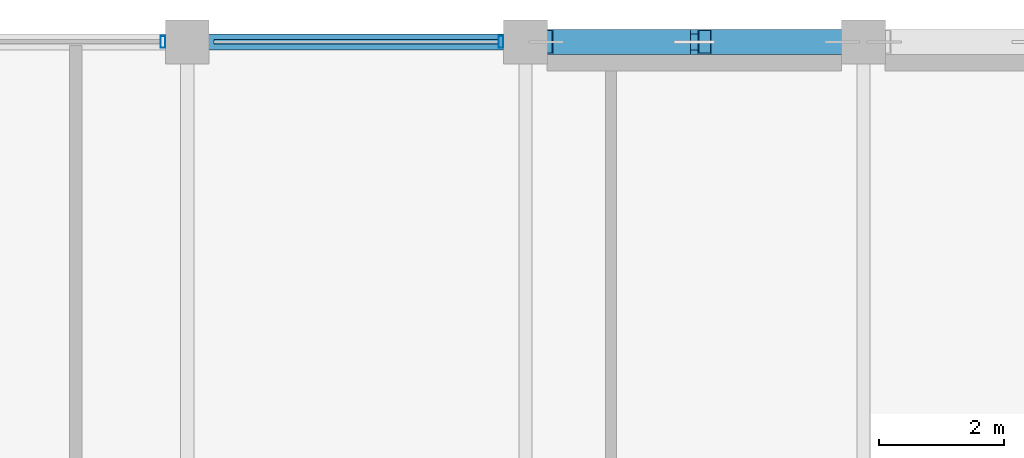
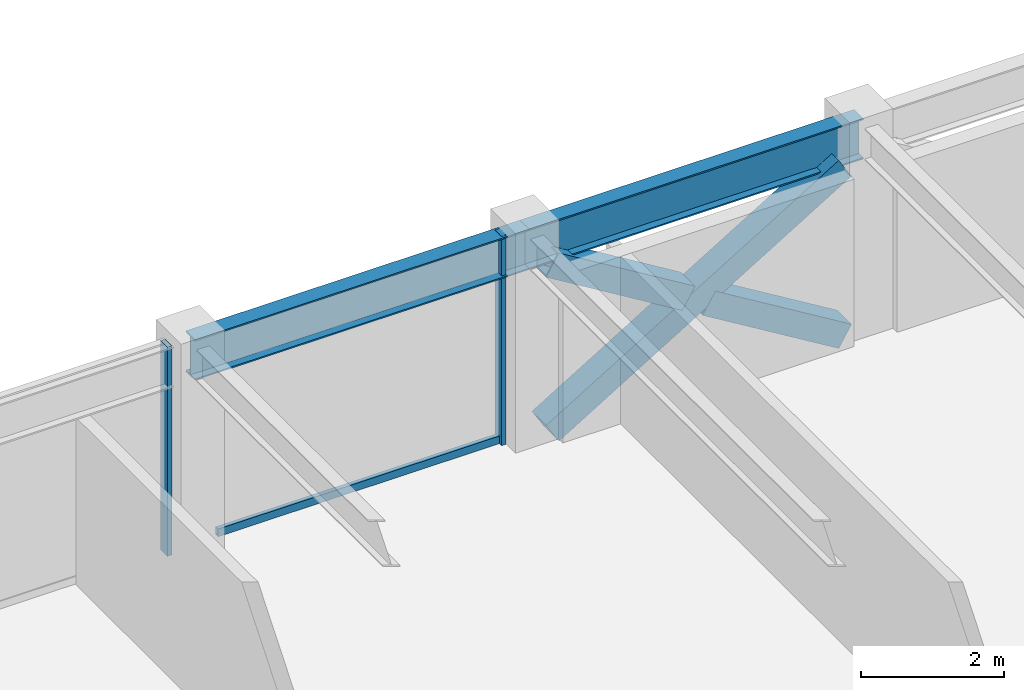
# One storey, part 17 of 31: 6 members, 2 beams, 1 element without a shape of its own.
"""IFC4 building model written with IfcOpenShell, lengths in metres."""

from ifc_helpers import new_model, si_unit, direction, frame, origin, origin_2d, place, context, subcontext, project, spatial, hollow_rectangle, i_section, extrude, material, layer, layer_set, material_profile, profile_set, type_object, element, aggregate, save


model = new_model("IFC4")

# Units and contexts
model_context = context("Model", 3, precision=1e-05, world=origin(), true_north=direction((0.0, 1.0)))
body_context = subcontext(model_context, "Body", "Model", "MODEL_VIEW")
ifc_project = project(units=[si_unit("LENGTHUNIT", "METRE"), si_unit("AREAUNIT", "SQUARE_METRE"), si_unit("VOLUMEUNIT", "CUBIC_METRE"), si_unit("PLANEANGLEUNIT", "RADIAN"), si_unit("MASSUNIT", "GRAM", prefix="KILO")], contexts=[model_context])

# Site, building, storey
site_placement = place(None, origin())
site = spatial("IfcSite", under=ifc_project, at=site_placement, CompositionType="ELEMENT")
building_placement = place(site_placement, origin())
building = spatial("IfcBuilding", under=site, at=building_placement, Name="Surkhivell Harbour Commons", CompositionType="ELEMENT")
storey_placement = place(building_placement, frame((0.0, 0.0, 266.25)))
storey = spatial("IfcBuildingStorey", under=building, at=storey_placement, Name="L69", CompositionType="ELEMENT", Elevation=266.25)

# Beams
ifc_material_1 = material(Name="Steel S355", Category="steel")
ifc_material_profile_1 = material_profile(ifc_material_1, i_section(OverallWidth=0.256103515625, OverallDepth=0.693115234375, WebThickness=0.014404296875, FlangeThickness=0.023681640625, at=origin_2d()), Name="UB686x254x170")
ifc_profile_set_1 = profile_set([ifc_material_profile_1], Name="Steel S355")
beam_type = type_object("IfcBeamType", Name="BM-SPN-686", PredefinedType="SPANDREL", material=ifc_profile_set_1)
beam_1_placement = place(storey_placement, frame((-10.800048828125, 25.89990234375, 3.223388671875), z_axis=(1.0, 0.0, 0.0), x_axis=(0.0, 1.0, 0.0)))
element("IfcBeam", 1, at=beam_1_placement, inside=storey, type_object=beam_type, Name="L69 Tube Spandrel (-10.8,25.9)", PredefinedType="SPANDREL", context=body_context, shape_type="SweptSolid", body=[
    extrude(i_section(OverallWidth=0.256103515625, OverallDepth=0.693115234375, WebThickness=0.014404296875, FlangeThickness=0.023681640625, at=origin_2d()), origin(), (0.0, 0.0, 1.0), 5.400146484375),
])
beam_2_placement = place(storey_placement, frame((-5.39990234375, 25.89990234375, 3.223388671875), z_axis=(1.0, 0.0, 0.0), x_axis=(0.0, 1.0, 0.0)))
element("IfcBeam", 2, at=beam_2_placement, inside=storey, type_object=beam_type, Name="L69 Tube Spandrel (-5.4,25.9)", PredefinedType="SPANDREL", context=body_context, shape_type="SweptSolid", body=[
    extrude(i_section(OverallWidth=0.256103515625, OverallDepth=0.693115234375, WebThickness=0.014404296875, FlangeThickness=0.023681640625, at=origin_2d()), origin(), (0.0, 0.0, 1.0), 5.39990234375),
])

# Curtain wall, members
ifc_material_2 = material(Name="Anodised pale-metal aluminium and insulated glazing", Category="aluminium")
ifc_layer = layer(ifc_material_2, 0.175048828125)
ifc_layer_set = layer_set([ifc_layer], Name="Anodised pale-metal aluminium and insulated glazing")
curtain_wall_type = type_object("IfcCurtainWallType", Name="CW-SYS-Z4", PredefinedType="NOTDEFINED", material=ifc_layer_set)
curtain_wall_placement = place(storey_placement, origin())
curtain_wall = element("IfcCurtainWall", 3, at=curtain_wall_placement, inside=storey, type_object=curtain_wall_type, Name="L69 Curtain Wall CW-L69-E07S2", PredefinedType="NOTDEFINED")
ifc_material_3 = material(Name="Anodised pale-metal aluminium alloy 6063-T6", Category="aluminium")
ifc_material_profile_2 = material_profile(ifc_material_3, hollow_rectangle(XDim=0.074951171875, YDim=0.18994140625, WallThickness=0.00390625, at=origin_2d()), Name="ALU-MULL-75x190")
ifc_profile_set_2 = profile_set([ifc_material_profile_2], Name="Anodised pale-metal aluminium alloy 6063-T6")
member_type_1 = type_object("IfcMemberType", Name="CWM-190", PredefinedType="MULLION", material=ifc_profile_set_2)
member_1_placement = place(storey_placement, frame((-5.78955078125, 25.89990234375, 0.0), z_axis=(0.0, 0.0, 1.0), x_axis=(-1.0, 0.0, 0.0)))
member_1 = element("IfcMember", 4, at=member_1_placement, type_object=member_type_1, Name="CW-Z4 mullion 1", PredefinedType="MULLION", context=body_context, shape_type="SweptSolid", body=[
    extrude(hollow_rectangle(XDim=0.074951171875, YDim=0.18994140625, WallThickness=0.00390625, at=origin_2d()), origin(), (0.0, 0.0, 1.0), 3.570068359375),
])
member_2_placement = place(storey_placement, frame((-11.189453125, 25.89990234375, 0.0), z_axis=(0.0, 0.0, 1.0), x_axis=(-1.0, 0.0, 0.0)))
member_2 = element("IfcMember", 5, at=member_2_placement, type_object=member_type_1, Name="CW-Z4 mullion 2", PredefinedType="MULLION", context=body_context, shape_type="SweptSolid", body=[
    extrude(hollow_rectangle(XDim=0.074951171875, YDim=0.18994140625, WallThickness=0.00390625, at=origin_2d()), origin(), (0.0, 0.0, 1.0), 3.570068359375),
])
ifc_material_4 = material(Name="Champagne anodised aluminium alloy 6063-T6", Category="aluminium")
ifc_material_profile_3 = material_profile(ifc_material_4, hollow_rectangle(XDim=0.070068359375, YDim=0.1298828125, WallThickness=0.00341796875, at=origin_2d()), Name="ALU-TRAN-70x130")
ifc_profile_set_3 = profile_set([ifc_material_profile_3], Name="Champagne anodised aluminium alloy 6063-T6")
member_type_2 = type_object("IfcMemberType", Name="CWT-130", PredefinedType="USERDEFINED", material=ifc_profile_set_3)
member_3_placement = place(storey_placement, frame((-5.826904296875, 25.89990234375, 0.06494140625), z_axis=(-1.0, 0.0, 0.0), x_axis=(0.0, -1.0, 0.0)))
member_3 = element("IfcMember", 6, at=member_3_placement, type_object=member_type_2, Name="CW-Z4 transom 1.1", ObjectType="TRANSOM", PredefinedType="USERDEFINED", context=body_context, shape_type="SweptSolid", body=[
    extrude(hollow_rectangle(XDim=0.070068359375, YDim=0.1298828125, WallThickness=0.00341796875, at=origin_2d()), origin(), (0.0, 0.0, 1.0), 4.546142578125),
])
aggregate(curtain_wall, [member_1, member_3, member_2])

# Members
ifc_material_5 = material(Name="Steel S460", Category="steel")
ifc_material_profile_4 = material_profile(ifc_material_5, hollow_rectangle(XDim=0.39990234375, YDim=0.39990234375, WallThickness=0.02001953125, at=origin_2d()), Name="SHS400x400x20")
ifc_profile_set_4 = profile_set([ifc_material_profile_4], Name="Steel S460")
member_type_3 = type_object("IfcMemberType", Name="MEM-BRC-SHS400", PredefinedType="BRACE", material=ifc_profile_set_4)
member_4_placement = place(storey_placement, frame((-5.06494140625, 25.89990234375, 0.008056640625), z_axis=(0.854685454322, 0.0, 0.519146197299), x_axis=(0.0, 1.0, 0.0)))
element("IfcMember", 7, at=member_4_placement, inside=storey, type_object=member_type_3, Name="L69 Perimeter Mega-Brace MB- 01", PredefinedType="BRACE", context=body_context, shape_type="SweptSolid", body=[
    extrude(hollow_rectangle(XDim=0.39990234375, YDim=0.39990234375, WallThickness=0.02001953125, at=origin_2d()), origin(), (0.0, 0.0, 1.0), 5.5341796875),
])
member_5_placement = place(storey_placement, frame((-0.3349609375, 25.89990234375, 0.008056640625), z_axis=(-0.854719912157, 0.0, 0.519089464122), x_axis=(0.0, -1.0, 0.0)))
element("IfcMember", 8, at=member_5_placement, inside=storey, type_object=member_type_3, Name="L69 Perimeter Mega-Brace MB- 02", PredefinedType="BRACE", context=body_context, shape_type="SweptSolid", body=[
    extrude(hollow_rectangle(XDim=0.39990234375, YDim=0.39990234375, WallThickness=0.02001953125, at=origin_2d()), origin(), (0.0, 0.0, 1.0), 2.574951171875),
])
member_6_placement = place(storey_placement, frame((-2.864013671875, 25.89990234375, 1.544189453125), z_axis=(-0.854677846108, 0.0, 0.519158722716), x_axis=(0.0, -1.0, 0.0)))
element("IfcMember", 9, at=member_6_placement, inside=storey, type_object=member_type_3, Name="L69 Perimeter Mega-Brace MB- 03", PredefinedType="BRACE", context=body_context, shape_type="SweptSolid", body=[
    extrude(hollow_rectangle(XDim=0.39990234375, YDim=0.39990234375, WallThickness=0.02001953125, at=origin_2d()), origin(), (0.0, 0.0, 1.0), 2.5751953125),
])

save(model, "model.ifc")
